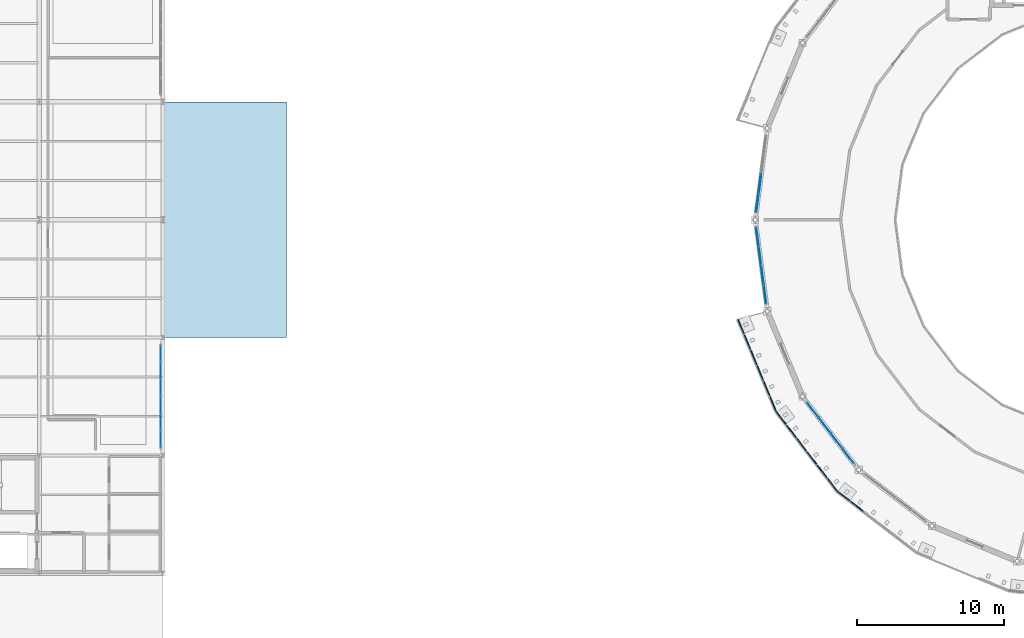
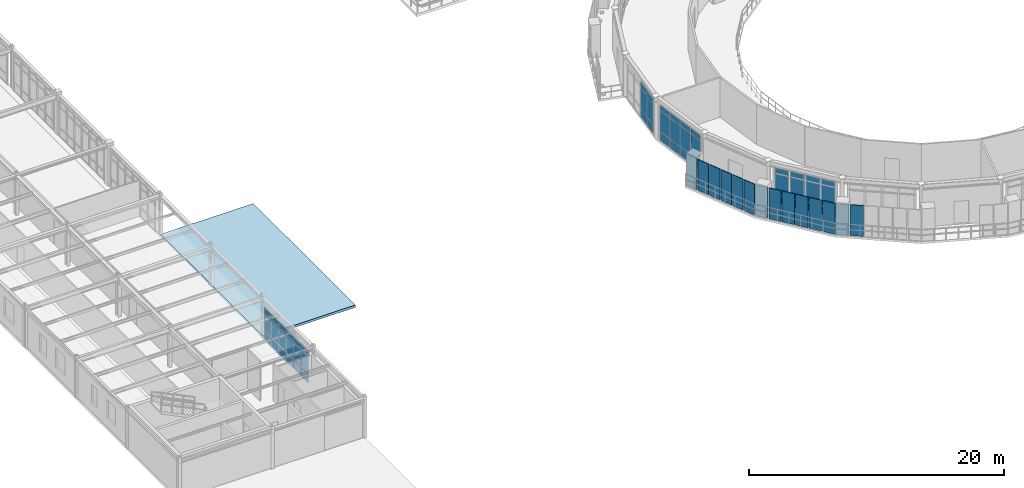
# One storey, part 33 of 58: 62 plates, 1 slab, 4 elements without a shape of their own.
"""IFC4 building model written with IfcOpenShell, lengths in metres."""

import ifcopenshell
import ifcopenshell.guid

model = None  # the IFC model being written
_history = None  # IfcOwnerHistory: only IFC2X3 demands one
_inside = {}  # id of a spatial element -> (the spatial element, [elements in it])
_under = {}  # id of a project, library or spatial element -> (it, [spatial elements below it])
_declared = {}  # id of a project -> (the project, [libraries it declares])
_typed = {}  # id of a type object -> (the type object, [elements of that type])
_made_of = {}  # id of a material, layer set ... -> (it, [elements and type objects made of it])


def new_model(schema):
    """Start an empty IFC model of exactly this schema.

    Asked for "IFC4X3", IfcOpenShell would pick the latest addendum, in which some entities
    have other attributes; the version numbers below select the first issue.
    IFC2X3 requires an IfcOwnerHistory on every rooted entity: one is made here for all.
    """
    global model, _history
    if schema == "IFC4X3":
        model = ifcopenshell.file(schema_version=(4, 3, 0, 0))
    else:
        model = ifcopenshell.file(schema=schema)
    _inside.clear()
    _under.clear()
    _declared.clear()
    _typed.clear()
    _made_of.clear()
    _history = None
    if model.schema == "IFC2X3":
        org = make("IfcOrganization", Name="unknown")
        user = make(
            "IfcPersonAndOrganization",
            ThePerson=make("IfcPerson", FamilyName="unknown"),
            TheOrganization=org,
        )
        app = make(
            "IfcApplication",
            ApplicationDeveloper=org,
            Version="unknown",
            ApplicationFullName="unknown",
            ApplicationIdentifier="unknown",
        )
        _history = make(
            "IfcOwnerHistory",
            OwningUser=user,
            OwningApplication=app,
            ChangeAction="ADDED",
            CreationDate=0,
        )
    return model


def make(cls, **values):
    """One entity of the class cls with the attributes given. An attribute that is None is left unset."""
    return model.create_entity(
        cls, **{name: value for name, value in values.items() if value is not None}
    )


def rooted(cls, **values):
    """An entity with a GlobalId (a new one), such as an element, a storey or a relation."""
    return make(cls, GlobalId=ifcopenshell.guid.new(), OwnerHistory=_history, **values)


def si_unit(unit_type, name, prefix=None):
    """IfcSIUnit, for example si_unit("LENGTHUNIT", "METRE", prefix="MILLI")."""
    return make("IfcSIUnit", UnitType=unit_type, Prefix=prefix, Name=name)


def derived_unit(unit_type, elements):
    """IfcDerivedUnit: a product of units, each with its exponent."""
    return make(
        "IfcDerivedUnit",
        Elements=[
            make("IfcDerivedUnitElement", Unit=unit, Exponent=power)
            for unit, power in elements
        ],
        UnitType=unit_type,
    )


def assignment(units):
    """IfcUnitAssignment: the units of a project."""
    return None if units is None else make("IfcUnitAssignment", Units=units)


def point(xyz):
    """IfcCartesianPoint."""
    return None if xyz is None else make("IfcCartesianPoint", Coordinates=xyz)


def direction(xyz):
    """IfcDirection."""
    return None if xyz is None else make("IfcDirection", DirectionRatios=xyz)


def frame(location, z_axis=None, x_axis=None):
    """IfcAxis2Placement3D, a coordinate frame: its origin and axes. An axis left out is left unset."""
    return make(
        "IfcAxis2Placement3D",
        Location=point(location),
        Axis=direction(z_axis),
        RefDirection=direction(x_axis),
    )


def frame_2d(location, x_axis=None):
    """IfcAxis2Placement2D, a coordinate frame in the plane: its origin and x axis."""
    return make(
        "IfcAxis2Placement2D", Location=point(location), RefDirection=direction(x_axis)
    )


def origin():
    """The frame at (0, 0, 0) with its axes left unset."""
    return frame((0.0, 0.0, 0.0))


def origin_2d():
    """The frame at (0, 0) in the plane with its x axis left unset."""
    return frame_2d((0.0, 0.0))


def place(relative_to, where):
    """IfcLocalPlacement: puts the frame where relative to a parent placement (None: the world)."""
    return make(
        "IfcLocalPlacement", PlacementRelTo=relative_to, RelativePlacement=where
    )


def context(
    kind, dimensions, precision=None, world=None, true_north=None, identifier=None
):
    """IfcGeometricRepresentationContext, for example the 3D "Model" context."""
    return make(
        "IfcGeometricRepresentationContext",
        ContextIdentifier=identifier,
        ContextType=kind,
        CoordinateSpaceDimension=dimensions,
        Precision=precision,
        WorldCoordinateSystem=world,
        TrueNorth=true_north,
    )


def subcontext(parent, identifier, kind, view, scale=None):
    """IfcGeometricRepresentationSubContext, for example "Body" below "Model"."""
    return make(
        "IfcGeometricRepresentationSubContext",
        ContextIdentifier=identifier,
        ContextType=kind,
        ParentContext=parent,
        TargetScale=scale,
        TargetView=view,
    )


def project(units=None, contexts=None):
    """IfcProject with its units and contexts."""
    return rooted(
        "IfcProject",
        Name="project",
        RepresentationContexts=contexts,
        UnitsInContext=assignment(units),
    )


def spatial(cls, under=None, at=None, **own):
    """A site, building, storey or space (cls), placed at a placement, below another one or the project."""
    s = rooted(cls, ObjectPlacement=at, **own)
    if under is not None:
        _under.setdefault(under.id(), (under, []))[1].append(s)
    return s


def polyline(points):
    """IfcPolyline through the points."""
    return make("IfcPolyline", Points=[point(p) for p in points])


def profile(cls, at=None, kind="AREA", **sizes):
    """A parametric profile (cls). Its sizes go by their IFC names, for example OverallWidth=200.0."""
    return make(cls, ProfileType=kind, Position=at, **sizes)


def rectangle(**sizes):
    """IfcRectangleProfileDef."""
    return profile("IfcRectangleProfileDef", **sizes)


def outline(outer, holes=None, kind="AREA"):
    """IfcArbitraryClosedProfileDef: a profile drawn as a closed curve; with holes, ...WithVoids."""
    if holes is None:
        return make("IfcArbitraryClosedProfileDef", ProfileType=kind, OuterCurve=outer)
    return make(
        "IfcArbitraryProfileDefWithVoids",
        ProfileType=kind,
        OuterCurve=outer,
        InnerCurves=holes,
    )


def extrude(swept, where, along, depth):
    """IfcExtrudedAreaSolid: the profile swept, set in the frame where, extruded along a direction by depth."""
    return make(
        "IfcExtrudedAreaSolid",
        SweptArea=swept,
        Position=where,
        ExtrudedDirection=direction(along),
        Depth=depth,
    )


def shape(context_of_items, identifier, shape_type, items):
    """IfcShapeRepresentation: the items that make up one representation, for example the "Body"."""
    return make(
        "IfcShapeRepresentation",
        ContextOfItems=context_of_items,
        RepresentationIdentifier=identifier,
        RepresentationType=shape_type,
        Items=items,
    )


def material(Name=None, Category=None):
    """IfcMaterial."""
    return make("IfcMaterial", Name=Name, Category=Category)


def layer(
    of_material, thickness, ventilated=None, Name=None, Category=None, Priority=None
):
    """IfcMaterialLayer: one layer of a wall or slab, of a material (None: an air gap)."""
    return make(
        "IfcMaterialLayer",
        Material=of_material,
        LayerThickness=thickness,
        IsVentilated=ventilated,
        Name=Name,
        Category=Category,
        Priority=Priority,
    )


def layer_set(layers, Name=None):
    """IfcMaterialLayerSet."""
    return make("IfcMaterialLayerSet", MaterialLayers=layers, LayerSetName=Name)


def made_of(thing, what):
    """Note that an element or type object is made of a material, layer set ...; save() writes the relation."""
    if what is not None:
        _made_of.setdefault(what.id(), (what, []))[1].append(thing)
    return thing


def type_object(cls, material=None, **own):
    """A type object (cls), such as IfcWallType, which elements share."""
    return made_of(rooted(cls, **own), material)


def element(
    cls,
    number,
    at=None,
    inside=None,
    cuts=None,
    type_object=None,
    material=None,
    context=None,
    identifier="Body",
    shape_type=None,
    held_by="IfcProductDefinitionShape",
    body=None,
    shapes=None,
    **own,
):
    """One element of the class cls, such as IfcWall. Its Tag is "e" and its number.

    at: its placement. inside: the storey or other place that contains it. cuts: it is an
    opening in that element (IfcRelVoidsElement). A single representation is given by context,
    identifier, shape_type and body (its items); several are given by shapes. held_by: the class
    of the entity that holds the representations. save() writes the other relations.
    """
    e = rooted(cls, Tag="e%d" % number, ObjectPlacement=at, **own)
    if body is not None:
        shapes = [shape(context, identifier, shape_type, body)]
    if shapes is not None:
        e.Representation = make(held_by, Representations=shapes)
    if inside is not None:
        _inside.setdefault(inside.id(), (inside, []))[1].append(e)
    if cuts is not None:
        rooted(
            "IfcRelVoidsElement", RelatingBuildingElement=cuts, RelatedOpeningElement=e
        )
    if type_object is not None:
        _typed.setdefault(type_object.id(), (type_object, []))[1].append(e)
    return made_of(e, material)


def aggregate(whole, parts):
    """IfcRelAggregates: a whole, such as a stair, and the parts it consists of."""
    return rooted("IfcRelAggregates", RelatingObject=whole, RelatedObjects=parts)


def save(model, path):
    """Write the relations noted so far, then the file.

    IfcRelAggregates (storeys below a building ...), IfcRelContainedInSpatialStructure (elements
    in a storey), IfcRelDefinesByType, IfcRelAssociatesMaterial and IfcRelDeclares: one each for
    every whole, place, type object, material and project.
    """
    for whole, parts in _under.values():
        aggregate(whole, parts)
    for where, things in _inside.values():
        rooted(
            "IfcRelContainedInSpatialStructure",
            RelatedElements=things,
            RelatingStructure=where,
        )
    for kind, things in _typed.values():
        rooted("IfcRelDefinesByType", RelatedObjects=things, RelatingType=kind)
    for what, things in _made_of.values():
        rooted("IfcRelAssociatesMaterial", RelatedObjects=things, RelatingMaterial=what)
    for by, libraries in _declared.values():
        rooted("IfcRelDeclares", RelatingContext=by, RelatedDefinitions=libraries)
    model.write(path)


model = new_model("IFC4")

# Units and contexts
model_context = context("Model", 3, precision=1e-05, world=origin(), true_north=direction((0.0, 1.0)))
body_context = subcontext(model_context, "Body", "Model", "MODEL_VIEW")
ifc_project = project(units=[si_unit("LENGTHUNIT", "METRE"), si_unit("AREAUNIT", "SQUARE_METRE"), si_unit("VOLUMEUNIT", "CUBIC_METRE"), si_unit("PLANEANGLEUNIT", "RADIAN"), si_unit("MASSUNIT", "GRAM", prefix="KILO"), derived_unit("THERMALTRANSMITTANCEUNIT", [(si_unit("POWERUNIT", "WATT"), 1), (si_unit("AREAUNIT", "SQUARE_METRE"), -1), (si_unit("THERMODYNAMICTEMPERATUREUNIT", "KELVIN"), -1)])], contexts=[model_context])

# Site, building, storey
site_placement = place(None, origin())
site = spatial("IfcSite", under=ifc_project, at=site_placement, CompositionType="ELEMENT")
building_placement = place(site_placement, origin())
building = spatial("IfcBuilding", under=site, at=building_placement, Name="Yasenodar Specialist Clinic", CompositionType="ELEMENT")
storey_placement = place(building_placement, frame((0.0, 0.0, 17.25)))
storey = spatial("IfcBuildingStorey", under=building, at=storey_placement, Name="L04", CompositionType="ELEMENT", Elevation=17.25)

# Curtain wall, plates
ifc_material_1 = material(Name="Bronze Anodized Aluminium and Triple Low-E Glass", Category="aluminium")
ifc_layer_1 = layer(ifc_material_1, 0.1669921875)
ifc_layer_set_1 = layer_set([ifc_layer_1], Name="Bronze Anodized Aluminium and Triple Low-E Glass")
curtain_wall_type_1 = type_object("IfcCurtainWallType", Name="CW-SYS-01", PredefinedType="USERDEFINED", material=ifc_layer_set_1)
curtain_wall_1_placement = place(storey_placement, origin())
curtain_wall_1 = element("IfcCurtainWall", 1, at=curtain_wall_1_placement, inside=storey, type_object=curtain_wall_type_1, Name="L04 Unitised Curtain Wall 064", ObjectType="UNITISED CURTAIN WALL", PredefinedType="USERDEFINED")
ifc_material_2 = material(Name="Triple Low-E Argon Glazing", Category="glass")
ifc_layer_2 = layer(ifc_material_2, 0.028076171875)
ifc_layer_set_2 = layer_set([ifc_layer_2], Name="Triple Low-E Argon Glazing")
plate_type_1 = type_object("IfcPlateType", Name="CW-PAN-1", PredefinedType="CURTAIN_PANEL", material=ifc_layer_set_2)
plate_1_placement = place(storey_placement, frame((57.66650390625, 53.736572265625, 0.06005859375), z_axis=(0.0, 0.0, 1.0), x_axis=(-0.13051156024, 0.991446787601, 0.0)))
plate_1 = element("IfcPlate", 2, at=plate_1_placement, type_object=plate_type_1, Name="CW-01 panel 1.1", PredefinedType="CURTAIN_PANEL", context=body_context, shape_type="SweptSolid", body=[
    extrude(rectangle(XDim=1.236328125, YDim=0.028076171875, at=origin_2d()), origin(), (0.0, 0.0, 1.0), 0.81005859375),
])
plate_2_placement = place(storey_placement, frame((57.66650390625, 53.736572265625, 0.93017578125), z_axis=(0.0, 0.0, 1.0), x_axis=(-0.13051156024, 0.991446787601, 0.0)))
plate_2 = element("IfcPlate", 3, at=plate_2_placement, type_object=plate_type_1, Name="CW-01 panel 1.2", PredefinedType="CURTAIN_PANEL", context=body_context, shape_type="SweptSolid", body=[
    extrude(rectangle(XDim=1.236328125, YDim=0.028076171875, at=origin_2d()), origin(), (0.0, 0.0, 1.0), 1.968017578125),
])
plate_3_placement = place(storey_placement, frame((57.66650390625, 53.736572265625, 2.9580078125), z_axis=(0.0, 0.0, 1.0), x_axis=(-0.13051156024, 0.991446787601, 0.0)))
plate_3 = element("IfcPlate", 4, at=plate_3_placement, type_object=plate_type_1, Name="CW-01 panel 1.3", PredefinedType="CURTAIN_PANEL", context=body_context, shape_type="SweptSolid", body=[
    extrude(rectangle(XDim=1.236328125, YDim=0.028076171875, at=origin_2d()), origin(), (0.0, 0.0, 1.0), 0.510009765625),
])
plate_4_placement = place(storey_placement, frame((57.495361328125, 55.03662109375, 0.06005859375), z_axis=(0.0, 0.0, 1.0), x_axis=(-0.13051156024, 0.991446787601, 0.0)))
plate_4 = element("IfcPlate", 5, at=plate_4_placement, type_object=plate_type_1, Name="CW-01 panel 2.1", PredefinedType="CURTAIN_PANEL", context=body_context, shape_type="SweptSolid", body=[
    extrude(rectangle(XDim=1.266357421875, YDim=0.028076171875, at=origin_2d()), origin(), (0.0, 0.0, 1.0), 0.81005859375),
])
plate_5_placement = place(storey_placement, frame((57.495361328125, 55.03662109375, 0.93017578125), z_axis=(0.0, 0.0, 1.0), x_axis=(-0.13051156024, 0.991446787601, 0.0)))
plate_5 = element("IfcPlate", 6, at=plate_5_placement, type_object=plate_type_1, Name="CW-01 panel 2.2", PredefinedType="CURTAIN_PANEL", context=body_context, shape_type="SweptSolid", body=[
    extrude(rectangle(XDim=1.266357421875, YDim=0.028076171875, at=origin_2d()), origin(), (0.0, 0.0, 1.0), 1.968017578125),
])
plate_6_placement = place(storey_placement, frame((57.495361328125, 55.03662109375, 2.9580078125), z_axis=(0.0, 0.0, 1.0), x_axis=(-0.13051156024, 0.991446787601, 0.0)))
plate_6 = element("IfcPlate", 7, at=plate_6_placement, type_object=plate_type_1, Name="CW-01 panel 2.3", PredefinedType="CURTAIN_PANEL", context=body_context, shape_type="SweptSolid", body=[
    extrude(rectangle(XDim=1.266357421875, YDim=0.028076171875, at=origin_2d()), origin(), (0.0, 0.0, 1.0), 0.510009765625),
])
plate_7_placement = place(storey_placement, frame((57.322265625, 56.3515625, 0.06005859375), z_axis=(0.0, 0.0, 1.0), x_axis=(-0.13051156024, 0.991446787601, 0.0)))
plate_7 = element("IfcPlate", 8, at=plate_7_placement, type_object=plate_type_1, Name="CW-01 panel 3.1", PredefinedType="CURTAIN_PANEL", context=body_context, shape_type="SweptSolid", body=[
    extrude(rectangle(XDim=1.266357421875, YDim=0.028076171875, at=origin_2d()), origin(), (0.0, 0.0, 1.0), 0.81005859375),
])
plate_8_placement = place(storey_placement, frame((57.322265625, 56.3515625, 0.93017578125), z_axis=(0.0, 0.0, 1.0), x_axis=(-0.13051156024, 0.991446787601, 0.0)))
plate_8 = element("IfcPlate", 9, at=plate_8_placement, type_object=plate_type_1, Name="CW-01 panel 3.2", PredefinedType="CURTAIN_PANEL", context=body_context, shape_type="SweptSolid", body=[
    extrude(rectangle(XDim=1.266357421875, YDim=0.028076171875, at=origin_2d()), origin(), (0.0, 0.0, 1.0), 1.968017578125),
])
plate_9_placement = place(storey_placement, frame((57.322265625, 56.3515625, 2.9580078125), z_axis=(0.0, 0.0, 1.0), x_axis=(-0.13051156024, 0.991446787601, 0.0)))
plate_9 = element("IfcPlate", 10, at=plate_9_placement, type_object=plate_type_1, Name="CW-01 panel 3.3", PredefinedType="CURTAIN_PANEL", context=body_context, shape_type="SweptSolid", body=[
    extrude(rectangle(XDim=1.266357421875, YDim=0.028076171875, at=origin_2d()), origin(), (0.0, 0.0, 1.0), 0.510009765625),
])
plate_10_placement = place(storey_placement, frame((57.151123046875, 57.65185546875, 0.06005859375), z_axis=(0.0, 0.0, 1.0), x_axis=(-0.13051156024, 0.991446787601, 0.0)))
plate_10 = element("IfcPlate", 11, at=plate_10_placement, type_object=plate_type_1, Name="CW-01 panel 4.1", PredefinedType="CURTAIN_PANEL", context=body_context, shape_type="SweptSolid", body=[
    extrude(rectangle(XDim=1.236328125, YDim=0.028076171875, at=origin_2d()), origin(), (0.0, 0.0, 1.0), 0.81005859375),
])
plate_11_placement = place(storey_placement, frame((57.151123046875, 57.65185546875, 0.93017578125), z_axis=(0.0, 0.0, 1.0), x_axis=(-0.13051156024, 0.991446787601, 0.0)))
plate_11 = element("IfcPlate", 12, at=plate_11_placement, type_object=plate_type_1, Name="CW-01 panel 4.2", PredefinedType="CURTAIN_PANEL", context=body_context, shape_type="SweptSolid", body=[
    extrude(rectangle(XDim=1.236328125, YDim=0.028076171875, at=origin_2d()), origin(), (0.0, 0.0, 1.0), 1.968017578125),
])
plate_12_placement = place(storey_placement, frame((57.151123046875, 57.65185546875, 2.9580078125), z_axis=(0.0, 0.0, 1.0), x_axis=(-0.13051156024, 0.991446787601, 0.0)))
plate_12 = element("IfcPlate", 13, at=plate_12_placement, type_object=plate_type_1, Name="CW-01 panel 4.3", PredefinedType="CURTAIN_PANEL", context=body_context, shape_type="SweptSolid", body=[
    extrude(rectangle(XDim=1.236328125, YDim=0.028076171875, at=origin_2d()), origin(), (0.0, 0.0, 1.0), 0.510009765625),
])
aggregate(curtain_wall_1, [plate_1, plate_2, plate_3, plate_4, plate_5, plate_6, plate_7, plate_8, plate_9, plate_10, plate_11, plate_12])

ifc_layer_3 = layer(ifc_material_1, 0.202880859375)
ifc_layer_set_3 = layer_set([ifc_layer_3], Name="Bronze Anodized Aluminium and Triple Low-E Glass")
curtain_wall_type_2 = type_object("IfcCurtainWallType", Name="CW-SYS-04", PredefinedType="USERDEFINED", material=ifc_layer_set_3)
curtain_wall_2_placement = place(storey_placement, origin())
curtain_wall_2 = element("IfcCurtainWall", 14, at=curtain_wall_2_placement, inside=storey, type_object=curtain_wall_type_2, Name="L04 Unitised Curtain Wall 140", ObjectType="UNITISED CURTAIN WALL", PredefinedType="USERDEFINED")
plate_13_placement = place(storey_placement, frame((16.64990234375, 49.714599609375, 0.074951171875), z_axis=(0.0, 0.0, 1.0), x_axis=(0.0, -1.0, 0.0)))
plate_13 = element("IfcPlate", 15, at=plate_13_placement, type_object=plate_type_1, Name="CW-04 panel 1.1", PredefinedType="CURTAIN_PANEL", context=body_context, shape_type="SweptSolid", body=[
    extrude(rectangle(XDim=1.060791015625, YDim=0.028076171875, at=origin_2d()), origin(), (0.0, 0.0, 1.0), 0.78759765625),
])
plate_14_placement = place(storey_placement, frame((16.64990234375, 49.714599609375, 0.9375), z_axis=(0.0, 0.0, 1.0), x_axis=(0.0, -1.0, 0.0)))
plate_14 = element("IfcPlate", 16, at=plate_14_placement, type_object=plate_type_1, Name="CW-04 panel 1.2", PredefinedType="CURTAIN_PANEL", context=body_context, shape_type="SweptSolid", body=[
    extrude(rectangle(XDim=1.060791015625, YDim=0.028076171875, at=origin_2d()), origin(), (0.0, 0.0, 1.0), 1.60302734375),
])
plate_15_placement = place(storey_placement, frame((16.64990234375, 49.714599609375, 2.615234375), z_axis=(0.0, 0.0, 1.0), x_axis=(0.0, -1.0, 0.0)))
plate_15 = element("IfcPlate", 17, at=plate_15_placement, type_object=plate_type_1, Name="CW-04 panel 1.3", PredefinedType="CURTAIN_PANEL", context=body_context, shape_type="SweptSolid", body=[
    extrude(rectangle(XDim=1.060791015625, YDim=0.028076171875, at=origin_2d()), origin(), (0.0, 0.0, 1.0), 0.487548828125),
])
plate_16_placement = place(storey_placement, frame((16.64990234375, 48.56005859375, 0.074951171875), z_axis=(0.0, 0.0, 1.0), x_axis=(0.0, -1.0, 0.0)))
plate_16 = element("IfcPlate", 18, at=plate_16_placement, type_object=plate_type_1, Name="CW-04 panel 2.1", PredefinedType="CURTAIN_PANEL", context=body_context, shape_type="SweptSolid", body=[
    extrude(rectangle(XDim=1.098388671875, YDim=0.028076171875, at=origin_2d()), origin(), (0.0, 0.0, 1.0), 0.78759765625),
])
plate_17_placement = place(storey_placement, frame((16.64990234375, 48.56005859375, 0.9375), z_axis=(0.0, 0.0, 1.0), x_axis=(0.0, -1.0, 0.0)))
plate_17 = element("IfcPlate", 19, at=plate_17_placement, type_object=plate_type_1, Name="CW-04 panel 2.2", PredefinedType="CURTAIN_PANEL", context=body_context, shape_type="SweptSolid", body=[
    extrude(rectangle(XDim=1.098388671875, YDim=0.028076171875, at=origin_2d()), origin(), (0.0, 0.0, 1.0), 1.60302734375),
])
plate_18_placement = place(storey_placement, frame((16.64990234375, 48.56005859375, 2.615234375), z_axis=(0.0, 0.0, 1.0), x_axis=(0.0, -1.0, 0.0)))
plate_18 = element("IfcPlate", 20, at=plate_18_placement, type_object=plate_type_1, Name="CW-04 panel 2.3", PredefinedType="CURTAIN_PANEL", context=body_context, shape_type="SweptSolid", body=[
    extrude(rectangle(XDim=1.098388671875, YDim=0.028076171875, at=origin_2d()), origin(), (0.0, 0.0, 1.0), 0.487548828125),
])
plate_19_placement = place(storey_placement, frame((16.64990234375, 47.38671875, 0.074951171875), z_axis=(0.0, 0.0, 1.0), x_axis=(0.0, -1.0, 0.0)))
plate_19 = element("IfcPlate", 21, at=plate_19_placement, type_object=plate_type_1, Name="CW-04 panel 3.1", PredefinedType="CURTAIN_PANEL", context=body_context, shape_type="SweptSolid", body=[
    extrude(rectangle(XDim=1.098388671875, YDim=0.028076171875, at=origin_2d()), origin(), (0.0, 0.0, 1.0), 0.78759765625),
])
plate_20_placement = place(storey_placement, frame((16.64990234375, 47.38671875, 0.9375), z_axis=(0.0, 0.0, 1.0), x_axis=(0.0, -1.0, 0.0)))
plate_20 = element("IfcPlate", 22, at=plate_20_placement, type_object=plate_type_1, Name="CW-04 panel 3.2", PredefinedType="CURTAIN_PANEL", context=body_context, shape_type="SweptSolid", body=[
    extrude(rectangle(XDim=1.098388671875, YDim=0.028076171875, at=origin_2d()), origin(), (0.0, 0.0, 1.0), 1.60302734375),
])
plate_21_placement = place(storey_placement, frame((16.64990234375, 47.38671875, 2.615234375), z_axis=(0.0, 0.0, 1.0), x_axis=(0.0, -1.0, 0.0)))
plate_21 = element("IfcPlate", 23, at=plate_21_placement, type_object=plate_type_1, Name="CW-04 panel 3.3", PredefinedType="CURTAIN_PANEL", context=body_context, shape_type="SweptSolid", body=[
    extrude(rectangle(XDim=1.098388671875, YDim=0.028076171875, at=origin_2d()), origin(), (0.0, 0.0, 1.0), 0.487548828125),
])
plate_22_placement = place(storey_placement, frame((16.64990234375, 46.21337890625, 0.074951171875), z_axis=(0.0, 0.0, 1.0), x_axis=(0.0, -1.0, 0.0)))
plate_22 = element("IfcPlate", 24, at=plate_22_placement, type_object=plate_type_1, Name="CW-04 panel 4.1", PredefinedType="CURTAIN_PANEL", context=body_context, shape_type="SweptSolid", body=[
    extrude(rectangle(XDim=1.098388671875, YDim=0.028076171875, at=origin_2d()), origin(), (0.0, 0.0, 1.0), 0.78759765625),
])
plate_23_placement = place(storey_placement, frame((16.64990234375, 46.21337890625, 0.9375), z_axis=(0.0, 0.0, 1.0), x_axis=(0.0, -1.0, 0.0)))
plate_23 = element("IfcPlate", 25, at=plate_23_placement, type_object=plate_type_1, Name="CW-04 panel 4.2", PredefinedType="CURTAIN_PANEL", context=body_context, shape_type="SweptSolid", body=[
    extrude(rectangle(XDim=1.098388671875, YDim=0.028076171875, at=origin_2d()), origin(), (0.0, 0.0, 1.0), 1.60302734375),
])
plate_24_placement = place(storey_placement, frame((16.64990234375, 46.21337890625, 2.615234375), z_axis=(0.0, 0.0, 1.0), x_axis=(0.0, -1.0, 0.0)))
plate_24 = element("IfcPlate", 26, at=plate_24_placement, type_object=plate_type_1, Name="CW-04 panel 4.3", PredefinedType="CURTAIN_PANEL", context=body_context, shape_type="SweptSolid", body=[
    extrude(rectangle(XDim=1.098388671875, YDim=0.028076171875, at=origin_2d()), origin(), (0.0, 0.0, 1.0), 0.487548828125),
])
plate_25_placement = place(storey_placement, frame((16.64990234375, 45.0400390625, 0.074951171875), z_axis=(0.0, 0.0, 1.0), x_axis=(0.0, -1.0, 0.0)))
plate_25 = element("IfcPlate", 27, at=plate_25_placement, type_object=plate_type_1, Name="CW-04 panel 5.1", PredefinedType="CURTAIN_PANEL", context=body_context, shape_type="SweptSolid", body=[
    extrude(rectangle(XDim=1.098388671875, YDim=0.028076171875, at=origin_2d()), origin(), (0.0, 0.0, 1.0), 0.78759765625),
])
plate_26_placement = place(storey_placement, frame((16.64990234375, 45.0400390625, 0.9375), z_axis=(0.0, 0.0, 1.0), x_axis=(0.0, -1.0, 0.0)))
plate_26 = element("IfcPlate", 28, at=plate_26_placement, type_object=plate_type_1, Name="CW-04 panel 5.2", PredefinedType="CURTAIN_PANEL", context=body_context, shape_type="SweptSolid", body=[
    extrude(rectangle(XDim=1.098388671875, YDim=0.028076171875, at=origin_2d()), origin(), (0.0, 0.0, 1.0), 1.60302734375),
])
plate_27_placement = place(storey_placement, frame((16.64990234375, 45.0400390625, 2.615234375), z_axis=(0.0, 0.0, 1.0), x_axis=(0.0, -1.0, 0.0)))
plate_27 = element("IfcPlate", 29, at=plate_27_placement, type_object=plate_type_1, Name="CW-04 panel 5.3", PredefinedType="CURTAIN_PANEL", context=body_context, shape_type="SweptSolid", body=[
    extrude(rectangle(XDim=1.098388671875, YDim=0.028076171875, at=origin_2d()), origin(), (0.0, 0.0, 1.0), 0.487548828125),
])
plate_28_placement = place(storey_placement, frame((16.64990234375, 43.885498046875, 0.074951171875), z_axis=(0.0, 0.0, 1.0), x_axis=(0.0, -1.0, 0.0)))
plate_28 = element("IfcPlate", 30, at=plate_28_placement, type_object=plate_type_1, Name="CW-04 panel 6.1", PredefinedType="CURTAIN_PANEL", context=body_context, shape_type="SweptSolid", body=[
    extrude(rectangle(XDim=1.060791015625, YDim=0.028076171875, at=origin_2d()), origin(), (0.0, 0.0, 1.0), 0.78759765625),
])
plate_29_placement = place(storey_placement, frame((16.64990234375, 43.885498046875, 0.9375), z_axis=(0.0, 0.0, 1.0), x_axis=(0.0, -1.0, 0.0)))
plate_29 = element("IfcPlate", 31, at=plate_29_placement, type_object=plate_type_1, Name="CW-04 panel 6.2", PredefinedType="CURTAIN_PANEL", context=body_context, shape_type="SweptSolid", body=[
    extrude(rectangle(XDim=1.060791015625, YDim=0.028076171875, at=origin_2d()), origin(), (0.0, 0.0, 1.0), 1.60302734375),
])
plate_30_placement = place(storey_placement, frame((16.64990234375, 43.885498046875, 2.615234375), z_axis=(0.0, 0.0, 1.0), x_axis=(0.0, -1.0, 0.0)))
plate_30 = element("IfcPlate", 32, at=plate_30_placement, type_object=plate_type_1, Name="CW-04 panel 6.3", PredefinedType="CURTAIN_PANEL", context=body_context, shape_type="SweptSolid", body=[
    extrude(rectangle(XDim=1.060791015625, YDim=0.028076171875, at=origin_2d()), origin(), (0.0, 0.0, 1.0), 0.487548828125),
])
aggregate(curtain_wall_2, [plate_13, plate_14, plate_15, plate_16, plate_17, plate_18, plate_19, plate_20, plate_21, plate_22, plate_23, plate_24, plate_25, plate_26, plate_27, plate_28, plate_29, plate_30])

curtain_wall_3_placement = place(storey_placement, origin())
curtain_wall_3 = element("IfcCurtainWall", 33, at=curtain_wall_3_placement, inside=storey, type_object=curtain_wall_type_1, Name="L04 Unitised Curtain Wall 065", ObjectType="UNITISED CURTAIN WALL", PredefinedType="USERDEFINED")
ifc_layer_4 = layer(ifc_material_2, 0.033935546875)
ifc_layer_set_4 = layer_set([ifc_layer_4], Name="Triple Low-E Argon Glazing")
plate_type_2 = type_object("IfcPlateType", Name="CW-PAN-2", PredefinedType="CURTAIN_PANEL", material=ifc_layer_set_4)
plate_31_placement = place(storey_placement, frame((63.322021484375, 42.751220703125, 0.074951171875), z_axis=(0.0, 0.0, 1.0), x_axis=(-0.608752021844, 0.793360558574, 0.0)))
plate_31 = element("IfcPlate", 34, at=plate_31_placement, type_object=plate_type_2, Name="CW-01 panel 1.1", PredefinedType="CURTAIN_PANEL", context=body_context, shape_type="SweptSolid", body=[
    extrude(rectangle(XDim=1.2138671875, YDim=0.033935546875, at=origin_2d()), origin(), (0.0, 0.0, 1.0), 0.78759765625),
])
plate_32_placement = place(storey_placement, frame((63.322021484375, 42.751220703125, 0.9375), z_axis=(0.0, 0.0, 1.0), x_axis=(-0.608752021844, 0.793360558574, 0.0)))
plate_32 = element("IfcPlate", 35, at=plate_32_placement, type_object=plate_type_2, Name="CW-01 panel 1.2", PredefinedType="CURTAIN_PANEL", context=body_context, shape_type="SweptSolid", body=[
    extrude(rectangle(XDim=1.2138671875, YDim=0.033935546875, at=origin_2d()), origin(), (0.0, 0.0, 1.0), 1.952880859375),
])
plate_33_placement = place(storey_placement, frame((63.322021484375, 42.751220703125, 2.96533203125), z_axis=(0.0, 0.0, 1.0), x_axis=(-0.608752021844, 0.793360558574, 0.0)))
plate_33 = element("IfcPlate", 36, at=plate_33_placement, type_object=plate_type_2, Name="CW-01 panel 1.3", PredefinedType="CURTAIN_PANEL", context=body_context, shape_type="SweptSolid", body=[
    extrude(rectangle(XDim=1.2138671875, YDim=0.033935546875, at=origin_2d()), origin(), (0.0, 0.0, 1.0), 0.487548828125),
])
plate_34_placement = place(storey_placement, frame((62.526123046875, 43.78857421875, 0.074951171875), z_axis=(0.0, 0.0, 1.0), x_axis=(-0.608752021844, 0.793360558574, 0.0)))
plate_34 = element("IfcPlate", 37, at=plate_34_placement, type_object=plate_type_2, Name="CW-01 panel 2.1", PredefinedType="CURTAIN_PANEL", context=body_context, shape_type="SweptSolid", body=[
    extrude(rectangle(XDim=1.251220703125, YDim=0.033935546875, at=origin_2d()), origin(), (0.0, 0.0, 1.0), 0.78759765625),
])
plate_35_placement = place(storey_placement, frame((62.526123046875, 43.78857421875, 0.9375), z_axis=(0.0, 0.0, 1.0), x_axis=(-0.608752021844, 0.793360558574, 0.0)))
plate_35 = element("IfcPlate", 38, at=plate_35_placement, type_object=plate_type_2, Name="CW-01 panel 2.2", PredefinedType="CURTAIN_PANEL", context=body_context, shape_type="SweptSolid", body=[
    extrude(rectangle(XDim=1.251220703125, YDim=0.033935546875, at=origin_2d()), origin(), (0.0, 0.0, 1.0), 1.952880859375),
])
plate_36_placement = place(storey_placement, frame((62.526123046875, 43.78857421875, 2.96533203125), z_axis=(0.0, 0.0, 1.0), x_axis=(-0.608752021844, 0.793360558574, 0.0)))
plate_36 = element("IfcPlate", 39, at=plate_36_placement, type_object=plate_type_2, Name="CW-01 panel 2.3", PredefinedType="CURTAIN_PANEL", context=body_context, shape_type="SweptSolid", body=[
    extrude(rectangle(XDim=1.251220703125, YDim=0.033935546875, at=origin_2d()), origin(), (0.0, 0.0, 1.0), 0.487548828125),
])
plate_37_placement = place(storey_placement, frame((61.71875, 44.8408203125, 0.074951171875), z_axis=(0.0, 0.0, 1.0), x_axis=(-0.608752021844, 0.793360558574, 0.0)))
plate_37 = element("IfcPlate", 40, at=plate_37_placement, type_object=plate_type_2, Name="CW-01 panel 3.1", PredefinedType="CURTAIN_PANEL", context=body_context, shape_type="SweptSolid", body=[
    extrude(rectangle(XDim=1.251220703125, YDim=0.033935546875, at=origin_2d()), origin(), (0.0, 0.0, 1.0), 0.78759765625),
])
plate_38_placement = place(storey_placement, frame((61.71875, 44.8408203125, 0.9375), z_axis=(0.0, 0.0, 1.0), x_axis=(-0.608752021844, 0.793360558574, 0.0)))
plate_38 = element("IfcPlate", 41, at=plate_38_placement, type_object=plate_type_2, Name="CW-01 panel 3.2", PredefinedType="CURTAIN_PANEL", context=body_context, shape_type="SweptSolid", body=[
    extrude(rectangle(XDim=1.251220703125, YDim=0.033935546875, at=origin_2d()), origin(), (0.0, 0.0, 1.0), 1.952880859375),
])
plate_39_placement = place(storey_placement, frame((61.71875, 44.8408203125, 2.96533203125), z_axis=(0.0, 0.0, 1.0), x_axis=(-0.608752021844, 0.793360558574, 0.0)))
plate_39 = element("IfcPlate", 42, at=plate_39_placement, type_object=plate_type_2, Name="CW-01 panel 3.3", PredefinedType="CURTAIN_PANEL", context=body_context, shape_type="SweptSolid", body=[
    extrude(rectangle(XDim=1.251220703125, YDim=0.033935546875, at=origin_2d()), origin(), (0.0, 0.0, 1.0), 0.487548828125),
])
plate_40_placement = place(storey_placement, frame((60.922607421875, 45.878173828125, 0.074951171875), z_axis=(0.0, 0.0, 1.0), x_axis=(-0.608752021844, 0.793360558574, 0.0)))
plate_40 = element("IfcPlate", 43, at=plate_40_placement, type_object=plate_type_2, Name="CW-01 panel 4.1", PredefinedType="CURTAIN_PANEL", context=body_context, shape_type="SweptSolid", body=[
    extrude(rectangle(XDim=1.2138671875, YDim=0.033935546875, at=origin_2d()), origin(), (0.0, 0.0, 1.0), 0.78759765625),
])
plate_41_placement = place(storey_placement, frame((60.922607421875, 45.878173828125, 0.9375), z_axis=(0.0, 0.0, 1.0), x_axis=(-0.608752021844, 0.793360558574, 0.0)))
plate_41 = element("IfcPlate", 44, at=plate_41_placement, type_object=plate_type_2, Name="CW-01 panel 4.2", PredefinedType="CURTAIN_PANEL", context=body_context, shape_type="SweptSolid", body=[
    extrude(rectangle(XDim=1.2138671875, YDim=0.033935546875, at=origin_2d()), origin(), (0.0, 0.0, 1.0), 1.952880859375),
])
plate_42_placement = place(storey_placement, frame((60.922607421875, 45.878173828125, 2.96533203125), z_axis=(0.0, 0.0, 1.0), x_axis=(-0.608752021844, 0.793360558574, 0.0)))
plate_42 = element("IfcPlate", 45, at=plate_42_placement, type_object=plate_type_2, Name="CW-01 panel 4.3", PredefinedType="CURTAIN_PANEL", context=body_context, shape_type="SweptSolid", body=[
    extrude(rectangle(XDim=1.2138671875, YDim=0.033935546875, at=origin_2d()), origin(), (0.0, 0.0, 1.0), 0.487548828125),
])
aggregate(curtain_wall_3, [plate_31, plate_32, plate_33, plate_34, plate_35, plate_36, plate_37, plate_38, plate_39, plate_40, plate_41, plate_42])

curtain_wall_4_placement = place(storey_placement, origin())
curtain_wall_4 = element("IfcCurtainWall", 46, at=curtain_wall_4_placement, inside=storey, type_object=curtain_wall_type_1, Name="L04 Unitised Curtain Wall 063", ObjectType="UNITISED CURTAIN WALL", PredefinedType="USERDEFINED")
ifc_layer_5 = layer(ifc_material_2, 0.0458984375)
ifc_layer_set_5 = layer_set([ifc_layer_5], Name="Triple Low-E Argon Glazing")
plate_type_3 = type_object("IfcPlateType", Name="CW-PAN-4", PredefinedType="CURTAIN_PANEL", material=ifc_layer_set_5)
plate_43_placement = place(storey_placement, frame((57.151123046875, 59.9482421875, 0.06005859375), z_axis=(0.0, 0.0, 1.0), x_axis=(0.13051156024, 0.991446787601, 0.0)))
plate_43 = element("IfcPlate", 47, at=plate_43_placement, type_object=plate_type_3, Name="CW-01 panel 1.1", PredefinedType="CURTAIN_PANEL", context=body_context, shape_type="SweptSolid", body=[
    extrude(rectangle(XDim=1.236328125, YDim=0.0458984375, at=origin_2d()), origin(), (0.0, 0.0, 1.0), 0.81005859375),
])
plate_44_placement = place(storey_placement, frame((57.151123046875, 59.9482421875, 0.93017578125), z_axis=(0.0, 0.0, 1.0), x_axis=(0.13051156024, 0.991446787601, 0.0)))
plate_44 = element("IfcPlate", 48, at=plate_44_placement, type_object=plate_type_3, Name="CW-01 panel 1.2", PredefinedType="CURTAIN_PANEL", context=body_context, shape_type="SweptSolid", body=[
    extrude(rectangle(XDim=1.236328125, YDim=0.0458984375, at=origin_2d()), origin(), (0.0, 0.0, 1.0), 1.968017578125),
])
plate_45_placement = place(storey_placement, frame((57.151123046875, 59.9482421875, 2.9580078125), z_axis=(0.0, 0.0, 1.0), x_axis=(0.13051156024, 0.991446787601, 0.0)))
plate_45 = element("IfcPlate", 49, at=plate_45_placement, type_object=plate_type_3, Name="CW-01 panel 1.3", PredefinedType="CURTAIN_PANEL", context=body_context, shape_type="SweptSolid", body=[
    extrude(rectangle(XDim=1.236328125, YDim=0.0458984375, at=origin_2d()), origin(), (0.0, 0.0, 1.0), 0.510009765625),
])
plate_46_placement = place(storey_placement, frame((57.322265625, 61.248291015625, 0.06005859375), z_axis=(0.0, 0.0, 1.0), x_axis=(0.13051156024, 0.991446787601, 0.0)))
plate_46 = element("IfcPlate", 50, at=plate_46_placement, type_object=plate_type_3, Name="CW-01 panel 2.1", PredefinedType="CURTAIN_PANEL", context=body_context, shape_type="SweptSolid", body=[
    extrude(rectangle(XDim=1.266357421875, YDim=0.0458984375, at=origin_2d()), origin(), (0.0, 0.0, 1.0), 0.81005859375),
])
plate_47_placement = place(storey_placement, frame((57.322265625, 61.248291015625, 0.93017578125), z_axis=(0.0, 0.0, 1.0), x_axis=(0.13051156024, 0.991446787601, 0.0)))
plate_47 = element("IfcPlate", 51, at=plate_47_placement, type_object=plate_type_3, Name="CW-01 panel 2.2", PredefinedType="CURTAIN_PANEL", context=body_context, shape_type="SweptSolid", body=[
    extrude(rectangle(XDim=1.266357421875, YDim=0.0458984375, at=origin_2d()), origin(), (0.0, 0.0, 1.0), 1.968017578125),
])
plate_48_placement = place(storey_placement, frame((57.322265625, 61.248291015625, 2.9580078125), z_axis=(0.0, 0.0, 1.0), x_axis=(0.13051156024, 0.991446787601, 0.0)))
plate_48 = element("IfcPlate", 52, at=plate_48_placement, type_object=plate_type_3, Name="CW-01 panel 2.3", PredefinedType="CURTAIN_PANEL", context=body_context, shape_type="SweptSolid", body=[
    extrude(rectangle(XDim=1.266357421875, YDim=0.0458984375, at=origin_2d()), origin(), (0.0, 0.0, 1.0), 0.510009765625),
])
aggregate(curtain_wall_4, [plate_43, plate_44, plate_45, plate_46, plate_47, plate_48])

# Plates
ifc_material_3 = material(Name="Thermally Modified Larch and Bronze Girih Jali Screen")
ifc_layer_6 = layer(ifc_material_3, 0.06494140625)
ifc_layer_set_6 = layer_set([ifc_layer_6], Name="Thermally Modified Larch and Bronze Girih Jali Screen")
plate_type_4 = type_object("IfcPlateType", Name="PL-JALI-850", PredefinedType="USERDEFINED", material=ifc_layer_set_6)
for number, where, z_axis, x_axis, name in (
    (53, (56.040283203125, 51.5458984375, 0.0048828125), (0.0, 0.0, 1.0), (0.382686667195, -0.923878192594, 0.0), "L04 Sliding Timber-Bronze Jali Shutter Screen 0385"),
    (54, (56.476318359375, 50.492919921875, 0.0048828125), (0.0, 0.0, 1.0), (0.382686667195, -0.923878192594, 0.0), "L04 Sliding Timber-Bronze Jali Shutter Screen 0386"),
    (55, (56.91259765625, 49.439697265625, 0.0048828125), (0.0, 0.0, 1.0), (0.382686667195, -0.923878192594, 0.0), "L04 Sliding Timber-Bronze Jali Shutter Screen 0387"),
    (56, (57.348876953125, 48.386474609375, 0.0048828125), (0.0, 0.0, 1.0), (0.382686667195, -0.923878192594, 0.0), "L04 Sliding Timber-Bronze Jali Shutter Screen 0388"),
    (57, (57.78515625, 47.333251953125, 0.0048828125), (0.0, 0.0, 1.0), (0.382686667195, -0.923878192594, 0.0), "L04 Sliding Timber-Bronze Jali Shutter Screen 0389"),
    (58, (58.22119140625, 46.2802734375, 0.0048828125), (0.0, 0.0, 1.0), (0.382686667195, -0.923878192594, 0.0), "L04 Sliding Timber-Bronze Jali Shutter Screen 0390"),
    (59, (58.76806640625, 45.3330078125, 0.0048828125), (0.0, 0.0, 1.0), (0.608764217148, -0.793351200869, 0.0), "L04 Sliding Timber-Bronze Jali Shutter Screen 0391"),
    (60, (59.462158203125, 44.4287109375, 0.0048828125), (0.0, 0.0, 1.0), (0.608764217148, -0.793351200869, 0.0), "L04 Sliding Timber-Bronze Jali Shutter Screen 0392"),
    (61, (60.156005859375, 43.5244140625, 0.0048828125), (0.0, 0.0, 1.0), (0.608764217148, -0.793351200869, 0.0), "L04 Sliding Timber-Bronze Jali Shutter Screen 0393"),
    (62, (60.85009765625, 42.619873046875, 0.0048828125), (0.0, 0.0, 1.0), (0.608764217148, -0.793351200869, 0.0), "L04 Sliding Timber-Bronze Jali Shutter Screen 0394"),
    (63, (61.5439453125, 41.715576171875, 0.0048828125), (0.0, 0.0, 1.0), (0.608764217148, -0.793351200869, 0.0), "L04 Sliding Timber-Bronze Jali Shutter Screen 0395"),
    (64, (62.23779296875, 40.811279296875, 0.0048828125), (0.0, 0.0, 1.0), (0.608764217148, -0.793351200869, 0.0), "L04 Sliding Timber-Bronze Jali Shutter Screen 0396"),
    (65, (63.01123046875, 40.037841796875, 0.0048828125), (0.0, 0.0, 1.0), (0.793351200869, -0.608764217148, 0.0), "L04 Sliding Timber-Bronze Jali Shutter Screen 0397"),
    (66, (63.91552734375, 39.343994140625, 0.0048828125), (0.0, 0.0, 1.0), (0.793351200869, -0.608764217148, 0.0), "L04 Sliding Timber-Bronze Jali Shutter Screen 0398"),
):
    element("IfcPlate", number, at=place(storey_placement, frame(where, z_axis=z_axis, x_axis=x_axis)), inside=storey, type_object=plate_type_4, Name=name, ObjectType="SCREEN_PANEL", PredefinedType="USERDEFINED", context=body_context, shape_type="SweptSolid", body=[
        extrude(rectangle(XDim=1.0400390625, YDim=0.06494140625, at=origin_2d()), origin(), (0.0, 0.0, 1.0), 2.949951171875),
    ])

# Slab
ifc_material_4 = material(Name="Concrete C30/37", Category="concrete")
ifc_layer_7 = layer(ifc_material_4, 0.22509765625)
ifc_layer_set_7 = layer_set([ifc_layer_7], Name="Concrete C30/37")
slab_type = type_object("IfcSlabType", Name="SLB-ROOF-225", PredefinedType="ROOF", material=ifc_layer_set_7)
slab_placement = place(storey_placement, frame((0.0, 0.0, -0.22509765625)))
element("IfcSlab", 67, at=slab_placement, inside=storey, type_object=slab_type, Name="V4 Orthopedic Bay Setback Roof Slab", PredefinedType="ROOF", context=body_context, shape_type="SweptSolid", body=[
    extrude(outline(polyline([(25.199951171875, 66.800048828125), (25.199951171875, 50.800048828125), (16.81494140625, 50.800048828125), (16.81494140625, 66.800048828125), (25.199951171875, 66.800048828125)])), origin(), (0.0, 0.0, 1.0), 0.22509765625),
])

save(model, "model.ifc")
